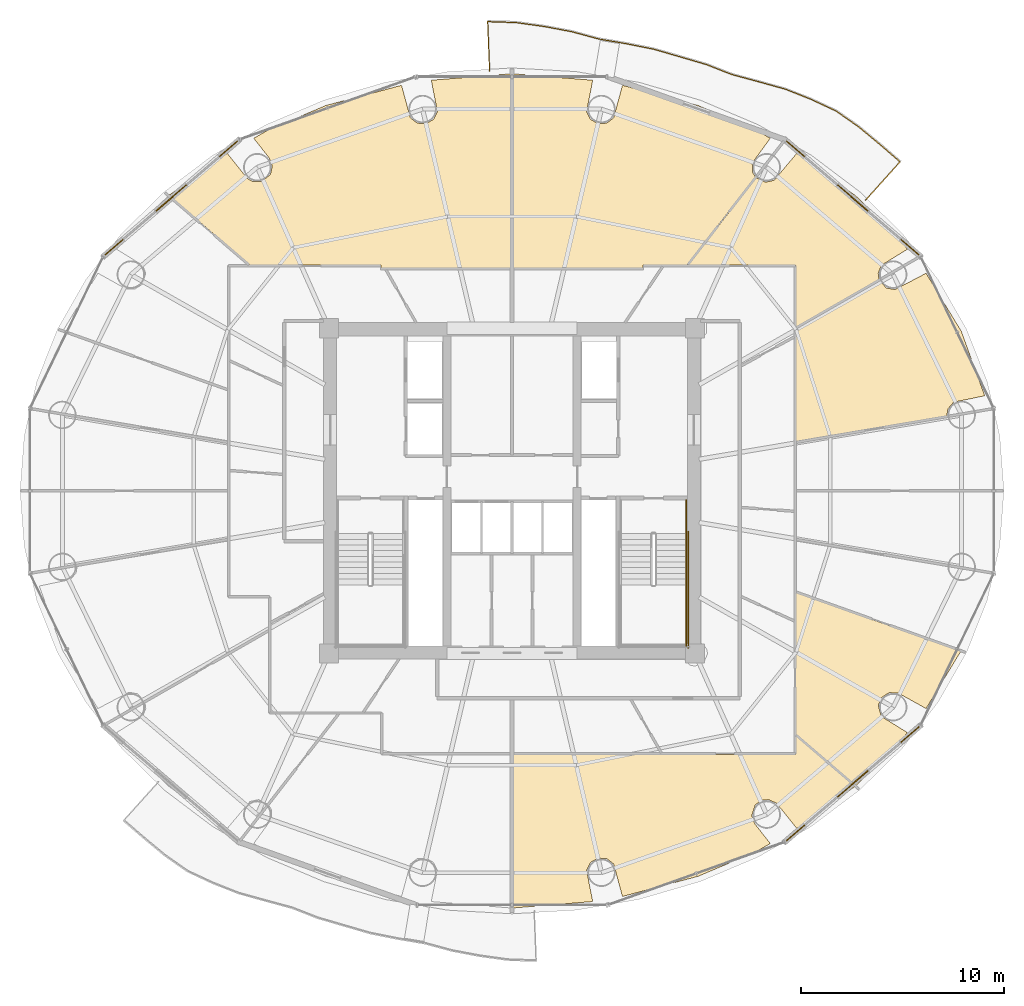
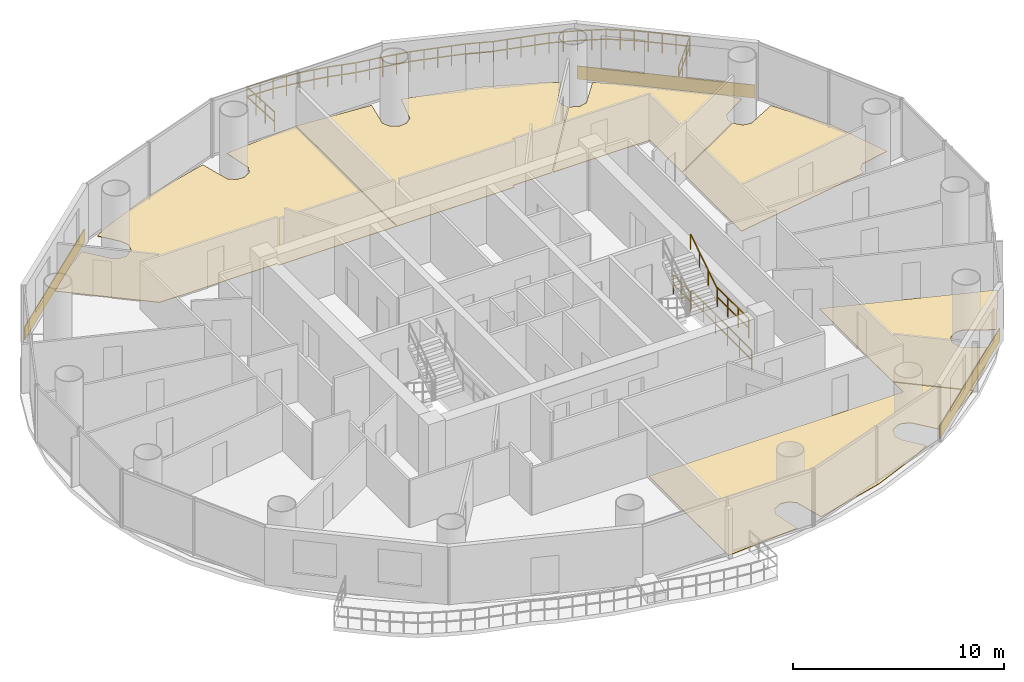
# One storey, part 26 of 26: 9 coverings, 5 railings.
"""IFC4 building model written with IfcOpenShell, lengths in metres."""

from ifc_helpers import new_model, si_unit, direction, frame, origin, origin_2d, place, context, subcontext, project, spatial, polyline, rectangle, outline, extrude, source, transform, mapped, material, layer, layer_set, type_object, element, save


model = new_model("IFC4")

# Units and contexts
model_context = context("Model", 3, precision=1e-05, world=origin(), true_north=direction((-0.2419218956, 0.970295726276)))
body_context = subcontext(model_context, "Body", "Model", "MODEL_VIEW")
ifc_project = project(units=[si_unit("LENGTHUNIT", "METRE"), si_unit("AREAUNIT", "SQUARE_METRE"), si_unit("VOLUMEUNIT", "CUBIC_METRE"), si_unit("PLANEANGLEUNIT", "RADIAN"), si_unit("MASSUNIT", "GRAM", prefix="KILO")], contexts=[model_context])

# Site, building, storey
site_placement = place(None, origin())
site = spatial("IfcSite", under=ifc_project, at=site_placement, CompositionType="ELEMENT")
building_placement = place(site_placement, origin())
building = spatial("IfcBuilding", under=site, at=building_placement, Name="Cobrevalo Terracotta Tower", CompositionType="ELEMENT")
storey_placement = place(building_placement, frame((0.0, 0.0, 175.0)))
storey = spatial("IfcBuildingStorey", under=building, at=storey_placement, Name="L46", CompositionType="ELEMENT", Elevation=175.0)

# Railing
ifc_material_1 = material(Name="Laminated structural glass and stainless steel", Category="steel")
railing_type_1 = type_object("IfcRailingType", Name="Balcony lobe structural glass & terracotta-cap balustrade 1180 mm", PredefinedType="BALUSTRADE", material=ifc_material_1)
railing_1_placement = place(storey_placement, frame((55.39599609375, 41.104248046875, 0.0)))
element("IfcRailing", 1, at=railing_1_placement, inside=storey, type_object=railing_type_1, Name="L46 spiralling balcony lobe balustrade 1", PredefinedType="BALUSTRADE", context=body_context, shape_type="SweptSolid", body=[
    extrude(rectangle(XDim=0.048095703125, YDim=0.048095703125, at=origin_2d()), frame((0.0, 0.0, 1.15576171875), z_axis=(0.66860239714, 0.743620087503, 0.0), x_axis=(-0.743620087503, 0.66860239714, 0.0)), (0.0, 0.0, 1.0), 2.531982421875),
    extrude(rectangle(XDim=0.048095703125, YDim=0.048095703125, at=origin_2d()), frame((0.0, 0.0, 0.58984375), z_axis=(0.66860239714, 0.743620087503, 0.0), x_axis=(-0.743620087503, 0.66860239714, 0.0)), (0.0, 0.0, 1.0), 2.531982421875),
    extrude(rectangle(XDim=0.048095703125, YDim=0.048095703125, at=origin_2d()), frame((1.69287109375, 1.8828125, 1.15576171875), z_axis=(-0.757700778266, 0.652602122748, 0.0), x_axis=(-0.652602122748, -0.757700778266, 0.0)), (0.0, 0.0, 1.0), 1.3310546875),
    extrude(rectangle(XDim=0.048095703125, YDim=0.048095703125, at=origin_2d()), frame((1.69287109375, 1.8828125, 0.58984375), z_axis=(-0.757700778266, 0.652602122748, 0.0), x_axis=(-0.652602122748, -0.757700778266, 0.0)), (0.0, 0.0, 1.0), 1.3310546875),
    extrude(rectangle(XDim=0.048095703125, YDim=0.048095703125, at=origin_2d()), frame((0.684326171875, 2.75146484375, 1.15576171875), z_axis=(-0.770212764142, 0.637787031816, 0.0), x_axis=(-0.637787031816, -0.770212764142, 0.0)), (0.0, 0.0, 1.0), 1.343994140625),
    extrude(rectangle(XDim=0.048095703125, YDim=0.048095703125, at=origin_2d()), frame((0.684326171875, 2.75146484375, 0.58984375), z_axis=(-0.770212764142, 0.637787031816, 0.0), x_axis=(-0.637787031816, -0.770212764142, 0.0)), (0.0, 0.0, 1.0), 1.343994140625),
    extrude(rectangle(XDim=0.048095703125, YDim=0.048095703125, at=origin_2d()), frame((-0.350830078125, 3.608642578125, 1.15576171875), z_axis=(-0.819112394064, 0.573633058576, 0.0), x_axis=(-0.573633058576, -0.819112394064, 0.0)), (0.0, 0.0, 1.0), 1.34375),
    extrude(rectangle(XDim=0.048095703125, YDim=0.048095703125, at=origin_2d()), frame((-0.350830078125, 3.608642578125, 0.58984375), z_axis=(-0.819112394064, 0.573633058576, 0.0), x_axis=(-0.573633058576, -0.819112394064, 0.0)), (0.0, 0.0, 1.0), 1.34375),
    extrude(rectangle(XDim=0.048095703125, YDim=0.048095703125, at=origin_2d()), frame((-1.451416015625, 4.37939453125, 1.15576171875), z_axis=(-0.906237865413, 0.422768176773, 0.0), x_axis=(-0.422768176773, -0.906237865413, 0.0)), (0.0, 0.0, 1.0), 1.367431640625),
    extrude(rectangle(XDim=0.048095703125, YDim=0.048095703125, at=origin_2d()), frame((-1.451416015625, 4.37939453125, 0.58984375), z_axis=(-0.906237865413, 0.422768176773, 0.0), x_axis=(-0.422768176773, -0.906237865413, 0.0)), (0.0, 0.0, 1.0), 1.367431640625),
    extrude(rectangle(XDim=0.048095703125, YDim=0.048095703125, at=origin_2d()), frame((-2.690673828125, 4.95751953125, 1.15576171875), z_axis=(-0.929930734764, 0.367734725776, 0.0), x_axis=(-0.367734725776, -0.929930734764, 0.0)), (0.0, 0.0, 1.0), 1.359619140625),
    extrude(rectangle(XDim=0.048095703125, YDim=0.048095703125, at=origin_2d()), frame((-2.690673828125, 4.95751953125, 0.58984375), z_axis=(-0.929930734764, 0.367734725776, 0.0), x_axis=(-0.367734725776, -0.929930734764, 0.0)), (0.0, 0.0, 1.0), 1.359619140625),
    extrude(rectangle(XDim=0.048095703125, YDim=0.048095703125, at=origin_2d()), frame((-3.955078125, 5.45751953125, 1.15576171875), z_axis=(-0.963579103308, 0.267423468804, 0.0), x_axis=(-0.267423468804, -0.963579103308, 0.0)), (0.0, 0.0, 1.0), 1.371337890625),
    extrude(rectangle(XDim=0.048095703125, YDim=0.048095703125, at=origin_2d()), frame((-3.955078125, 5.45751953125, 0.58984375), z_axis=(-0.963579103308, 0.267423468804, 0.0), x_axis=(-0.267423468804, -0.963579103308, 0.0)), (0.0, 0.0, 1.0), 1.371337890625),
    extrude(rectangle(XDim=0.048095703125, YDim=0.048095703125, at=origin_2d()), frame((-5.2763671875, 5.82421875, 1.15576171875), z_axis=(-0.965325469079, 0.261049303289, 0.0), x_axis=(-0.261049303289, -0.965325469079, 0.0)), (0.0, 0.0, 1.0), 1.35888671875),
    extrude(rectangle(XDim=0.048095703125, YDim=0.048095703125, at=origin_2d()), frame((-5.2763671875, 5.82421875, 0.58984375), z_axis=(-0.965325469079, 0.261049303289, 0.0), x_axis=(-0.261049303289, -0.965325469079, 0.0)), (0.0, 0.0, 1.0), 1.35888671875),
    extrude(rectangle(XDim=0.048095703125, YDim=0.048095703125, at=origin_2d()), frame((-6.588134765625, 6.178955078125, 1.15576171875), z_axis=(-0.931210574884, 0.364481639076, 0.0), x_axis=(-0.364481639076, -0.931210574884, 0.0)), (0.0, 0.0, 1.0), 1.34228515625),
    extrude(rectangle(XDim=0.048095703125, YDim=0.048095703125, at=origin_2d()), frame((-6.588134765625, 6.178955078125, 0.58984375), z_axis=(-0.931210574884, 0.364481639076, 0.0), x_axis=(-0.364481639076, -0.931210574884, 0.0)), (0.0, 0.0, 1.0), 1.34228515625),
    extrude(rectangle(XDim=0.048095703125, YDim=0.048095703125, at=origin_2d()), frame((-7.838134765625, 6.668212890625, 1.15576171875), z_axis=(-0.959631897815, 0.281258992206, 0.0), x_axis=(-0.281258992206, -0.959631897815, 0.0)), (0.0, 0.0, 1.0), 1.35498046875),
    extrude(rectangle(XDim=0.048095703125, YDim=0.048095703125, at=origin_2d()), frame((-7.838134765625, 6.668212890625, 0.58984375), z_axis=(-0.959631897815, 0.281258992206, 0.0), x_axis=(-0.281258992206, -0.959631897815, 0.0)), (0.0, 0.0, 1.0), 1.35498046875),
    extrude(rectangle(XDim=0.048095703125, YDim=0.048095703125, at=origin_2d()), frame((-9.138427734375, 7.04931640625, 1.15576171875), z_axis=(-0.96043492504, 0.278504496844, 0.0), x_axis=(-0.278504496844, -0.96043492504, 0.0)), (0.0, 0.0, 1.0), 1.354248046875),
    extrude(rectangle(XDim=0.048095703125, YDim=0.048095703125, at=origin_2d()), frame((-9.138427734375, 7.04931640625, 0.58984375), z_axis=(-0.96043492504, 0.278504496844, 0.0), x_axis=(-0.278504496844, -0.96043492504, 0.0)), (0.0, 0.0, 1.0), 1.354248046875),
    extrude(rectangle(XDim=0.048095703125, YDim=0.048095703125, at=origin_2d()), frame((-10.439208984375, 7.426513671875, 1.15576171875), z_axis=(-0.980759694429, 0.195218907343, 0.0), x_axis=(-0.195218907343, -0.980759694429, 0.0)), (0.0, 0.0, 1.0), 1.360595703125),
    extrude(rectangle(XDim=0.048095703125, YDim=0.048095703125, at=origin_2d()), frame((-10.439208984375, 7.426513671875, 0.58984375), z_axis=(-0.980759694429, 0.195218907343, 0.0), x_axis=(-0.195218907343, -0.980759694429, 0.0)), (0.0, 0.0, 1.0), 1.360595703125),
    extrude(rectangle(XDim=0.048095703125, YDim=0.048095703125, at=origin_2d()), frame((-11.773681640625, 7.692138671875, 1.15576171875), z_axis=(-0.985748009451, 0.168228600015, 0.0), x_axis=(-0.168228600015, -0.985748009451, 0.0)), (0.0, 0.0, 1.0), 1.3642578125),
    extrude(rectangle(XDim=0.048095703125, YDim=0.048095703125, at=origin_2d()), frame((-11.773681640625, 7.692138671875, 0.58984375), z_axis=(-0.985748009451, 0.168228600015, 0.0), x_axis=(-0.168228600015, -0.985748009451, 0.0)), (0.0, 0.0, 1.0), 1.3642578125),
    extrude(rectangle(XDim=0.048095703125, YDim=0.048095703125, at=origin_2d()), frame((-13.118408203125, 7.921630859375, 1.15576171875), z_axis=(-0.965340534329, 0.260993587626, 0.0), x_axis=(-0.260993587626, -0.965340534329, 0.0)), (0.0, 0.0, 1.0), 1.381591796875),
    extrude(rectangle(XDim=0.048095703125, YDim=0.048095703125, at=origin_2d()), frame((-13.118408203125, 7.921630859375, 0.58984375), z_axis=(-0.965340534329, 0.260993587626, 0.0), x_axis=(-0.260993587626, -0.965340534329, 0.0)), (0.0, 0.0, 1.0), 1.381591796875),
    extrude(rectangle(XDim=0.048095703125, YDim=0.048095703125, at=origin_2d()), frame((-14.4521484375, 8.2822265625, 1.15576171875), z_axis=(-0.982618762807, 0.185635037049, 0.0), x_axis=(-0.185635037049, -0.982618762807, 0.0)), (0.0, 0.0, 1.0), 1.39013671875),
    extrude(rectangle(XDim=0.048095703125, YDim=0.048095703125, at=origin_2d()), frame((-14.4521484375, 8.2822265625, 0.58984375), z_axis=(-0.982618762807, 0.185635037049, 0.0), x_axis=(-0.185635037049, -0.982618762807, 0.0)), (0.0, 0.0, 1.0), 1.39013671875),
    extrude(rectangle(XDim=0.048095703125, YDim=0.048095703125, at=origin_2d()), frame((-15.818115234375, 8.540283203125, 1.15576171875), z_axis=(-0.9906235785, 0.13661963885, 0.0), x_axis=(-0.13661963885, -0.9906235785, 0.0)), (0.0, 0.0, 1.0), 1.395751953125),
    extrude(rectangle(XDim=0.048095703125, YDim=0.048095703125, at=origin_2d()), frame((-15.818115234375, 8.540283203125, 0.58984375), z_axis=(-0.9906235785, 0.13661963885, 0.0), x_axis=(-0.13661963885, -0.9906235785, 0.0)), (0.0, 0.0, 1.0), 1.395751953125),
    extrude(rectangle(XDim=0.048095703125, YDim=0.048095703125, at=origin_2d()), frame((-17.20068359375, 8.73095703125, 1.15576171875), z_axis=(-0.999440035445, 0.033460656752, 0.0), x_axis=(-0.033460656752, -0.999440035445, 0.0)), (0.0, 0.0, 1.0), 1.3935546875),
    extrude(rectangle(XDim=0.048095703125, YDim=0.048095703125, at=origin_2d()), frame((-17.20068359375, 8.73095703125, 0.58984375), z_axis=(-0.999440035445, 0.033460656752, 0.0), x_axis=(-0.033460656752, -0.999440035445, 0.0)), (0.0, 0.0, 1.0), 1.3935546875),
    extrude(rectangle(XDim=0.048095703125, YDim=0.048095703125, at=origin_2d()), frame((-18.593505859375, 8.777587890625, 1.15576171875), z_axis=(0.039487733379, -0.999220055299, 0.0), x_axis=(0.999220055299, 0.039487733379, 0.0)), (0.0, 0.0, 1.0), 2.43603515625),
    extrude(rectangle(XDim=0.048095703125, YDim=0.048095703125, at=origin_2d()), frame((-18.593505859375, 8.777587890625, 0.58984375), z_axis=(0.039487733379, -0.999220055299, 0.0), x_axis=(0.999220055299, 0.039487733379, 0.0)), (0.0, 0.0, 1.0), 2.43603515625),
    extrude(rectangle(XDim=0.0419921875, YDim=0.0419921875, at=origin_2d()), origin(), (0.0, 0.0, 1.0), 1.1318359375),
    extrude(rectangle(XDim=0.0419921875, YDim=0.0419921875, at=origin_2d()), frame((0.564208984375, 0.627685546875, 0.0)), (0.0, 0.0, 1.0), 1.1318359375),
    extrude(rectangle(XDim=0.0419921875, YDim=0.0419921875, at=origin_2d()), frame((1.128662109375, 1.255126953125, 0.0)), (0.0, 0.0, 1.0), 1.1318359375),
    extrude(rectangle(XDim=0.0419921875, YDim=0.0419921875, at=origin_2d()), frame((1.69287109375, 1.8828125, 0.0)), (0.0, 0.0, 1.0), 1.1318359375),
    extrude(rectangle(XDim=0.0419921875, YDim=0.0419921875, at=origin_2d()), frame((1.1884765625, 2.317138671875, 0.0)), (0.0, 0.0, 1.0), 1.1318359375),
    extrude(rectangle(XDim=0.0419921875, YDim=0.0419921875, at=origin_2d()), frame((0.684326171875, 2.75146484375, 0.0)), (0.0, 0.0, 1.0), 1.1318359375),
    extrude(rectangle(XDim=0.0419921875, YDim=0.0419921875, at=origin_2d()), frame((0.166748046875, 3.18017578125, 0.0)), (0.0, 0.0, 1.0), 1.1318359375),
    extrude(rectangle(XDim=0.0419921875, YDim=0.0419921875, at=origin_2d()), frame((-0.350830078125, 3.608642578125, 0.0)), (0.0, 0.0, 1.0), 1.1318359375),
    extrude(rectangle(XDim=0.0419921875, YDim=0.0419921875, at=origin_2d()), frame((-0.901123046875, 3.994140625, 0.0)), (0.0, 0.0, 1.0), 1.1318359375),
    extrude(rectangle(XDim=0.0419921875, YDim=0.0419921875, at=origin_2d()), frame((-1.451416015625, 4.37939453125, 0.0)), (0.0, 0.0, 1.0), 1.1318359375),
    extrude(rectangle(XDim=0.0419921875, YDim=0.0419921875, at=origin_2d()), frame((-2.071044921875, 4.66845703125, 0.0)), (0.0, 0.0, 1.0), 1.1318359375),
    extrude(rectangle(XDim=0.0419921875, YDim=0.0419921875, at=origin_2d()), frame((-2.690673828125, 4.95751953125, 0.0)), (0.0, 0.0, 1.0), 1.1318359375),
    extrude(rectangle(XDim=0.0419921875, YDim=0.0419921875, at=origin_2d()), frame((-3.32275390625, 5.20751953125, 0.0)), (0.0, 0.0, 1.0), 1.1318359375),
    extrude(rectangle(XDim=0.0419921875, YDim=0.0419921875, at=origin_2d()), frame((-3.955078125, 5.45751953125, 0.0)), (0.0, 0.0, 1.0), 1.1318359375),
    extrude(rectangle(XDim=0.0419921875, YDim=0.0419921875, at=origin_2d()), frame((-4.61572265625, 5.640869140625, 0.0)), (0.0, 0.0, 1.0), 1.1318359375),
    extrude(rectangle(XDim=0.0419921875, YDim=0.0419921875, at=origin_2d()), frame((-5.2763671875, 5.82421875, 0.0)), (0.0, 0.0, 1.0), 1.1318359375),
    extrude(rectangle(XDim=0.0419921875, YDim=0.0419921875, at=origin_2d()), frame((-5.93212890625, 6.00146484375, 0.0)), (0.0, 0.0, 1.0), 1.1318359375),
    extrude(rectangle(XDim=0.0419921875, YDim=0.0419921875, at=origin_2d()), frame((-6.588134765625, 6.178955078125, 0.0)), (0.0, 0.0, 1.0), 1.1318359375),
    extrude(rectangle(XDim=0.0419921875, YDim=0.0419921875, at=origin_2d()), frame((-7.213134765625, 6.423583984375, 0.0)), (0.0, 0.0, 1.0), 1.1318359375),
    extrude(rectangle(XDim=0.0419921875, YDim=0.0419921875, at=origin_2d()), frame((-7.838134765625, 6.668212890625, 0.0)), (0.0, 0.0, 1.0), 1.1318359375),
    extrude(rectangle(XDim=0.0419921875, YDim=0.0419921875, at=origin_2d()), frame((-8.48828125, 6.85888671875, 0.0)), (0.0, 0.0, 1.0), 1.1318359375),
    extrude(rectangle(XDim=0.0419921875, YDim=0.0419921875, at=origin_2d()), frame((-9.138427734375, 7.04931640625, 0.0)), (0.0, 0.0, 1.0), 1.1318359375),
    extrude(rectangle(XDim=0.0419921875, YDim=0.0419921875, at=origin_2d()), frame((-9.788818359375, 7.23779296875, 0.0)), (0.0, 0.0, 1.0), 1.1318359375),
    extrude(rectangle(XDim=0.0419921875, YDim=0.0419921875, at=origin_2d()), frame((-10.439208984375, 7.426513671875, 0.0)), (0.0, 0.0, 1.0), 1.1318359375),
    extrude(rectangle(XDim=0.0419921875, YDim=0.0419921875, at=origin_2d()), frame((-11.1064453125, 7.559326171875, 0.0)), (0.0, 0.0, 1.0), 1.1318359375),
    extrude(rectangle(XDim=0.0419921875, YDim=0.0419921875, at=origin_2d()), frame((-11.773681640625, 7.692138671875, 0.0)), (0.0, 0.0, 1.0), 1.1318359375),
    extrude(rectangle(XDim=0.0419921875, YDim=0.0419921875, at=origin_2d()), frame((-12.446044921875, 7.806884765625, 0.0)), (0.0, 0.0, 1.0), 1.1318359375),
    extrude(rectangle(XDim=0.0419921875, YDim=0.0419921875, at=origin_2d()), frame((-13.118408203125, 7.921630859375, 0.0)), (0.0, 0.0, 1.0), 1.1318359375),
    extrude(rectangle(XDim=0.0419921875, YDim=0.0419921875, at=origin_2d()), frame((-13.78515625, 8.10205078125, 0.0)), (0.0, 0.0, 1.0), 1.1318359375),
    extrude(rectangle(XDim=0.0419921875, YDim=0.0419921875, at=origin_2d()), frame((-14.4521484375, 8.2822265625, 0.0)), (0.0, 0.0, 1.0), 1.1318359375),
    extrude(rectangle(XDim=0.0419921875, YDim=0.0419921875, at=origin_2d()), frame((-15.13525390625, 8.4111328125, 0.0)), (0.0, 0.0, 1.0), 1.1318359375),
    extrude(rectangle(XDim=0.0419921875, YDim=0.0419921875, at=origin_2d()), frame((-15.818115234375, 8.540283203125, 0.0)), (0.0, 0.0, 1.0), 1.1318359375),
    extrude(rectangle(XDim=0.0419921875, YDim=0.0419921875, at=origin_2d()), frame((-16.50927734375, 8.6357421875, 0.0)), (0.0, 0.0, 1.0), 1.1318359375),
    extrude(rectangle(XDim=0.0419921875, YDim=0.0419921875, at=origin_2d()), frame((-17.20068359375, 8.73095703125, 0.0)), (0.0, 0.0, 1.0), 1.1318359375),
    extrude(rectangle(XDim=0.0419921875, YDim=0.0419921875, at=origin_2d()), frame((-17.89697265625, 8.75439453125, 0.0)), (0.0, 0.0, 1.0), 1.1318359375),
    extrude(rectangle(XDim=0.0419921875, YDim=0.0419921875, at=origin_2d()), frame((-18.593505859375, 8.777587890625, 0.0)), (0.0, 0.0, 1.0), 1.1318359375),
    extrude(rectangle(XDim=0.0419921875, YDim=0.0419921875, at=origin_2d()), frame((-18.5615234375, 7.96630859375, 0.0)), (0.0, 0.0, 1.0), 1.1318359375),
    extrude(rectangle(XDim=0.0419921875, YDim=0.0419921875, at=origin_2d()), frame((-18.529296875, 7.15478515625, 0.0)), (0.0, 0.0, 1.0), 1.1318359375),
    extrude(rectangle(XDim=0.0419921875, YDim=0.0419921875, at=origin_2d()), frame((-18.497314453125, 6.343505859375, 0.0)), (0.0, 0.0, 1.0), 1.1318359375),
])

# Coverings
ifc_material_2 = material(Name="Engineered Brazilian hardwood flooring", Category="wood")
ifc_layer_1 = layer(ifc_material_2, 0.028076171875)
ifc_layer_set_1 = layer_set([ifc_layer_1], Name="Engineered Brazilian hardwood flooring")
covering_type_1 = type_object("IfcCoveringType", Name="Engineered Hardwood Suite Flooring 28", PredefinedType="FLOORING", material=ifc_layer_set_1)
covering_1_placement = place(storey_placement, origin())
element("IfcCovering", 2, at=covering_1_placement, inside=storey, type_object=covering_type_1, Name="Flat L46A Penthouse Living and Dining Room floor finish", PredefinedType="FLOORING", context=body_context, shape_type="SweptSolid", body=[
    extrude(outline(polyline([(23.99755859375, 43.39990234375), (24.99072265625, 42.160400390625), (25.242431640625, 42.01904296875), (25.672119140625, 42.01025390625), (26.1171875, 42.3603515625), (26.209716796875, 42.780029296875), (26.053955078125, 43.179443359375), (25.295166015625, 44.143798828125), (26.038818359375, 44.5703125), (28.84521484375, 45.757568359375), (32.567138671875, 46.75), (32.99951171875, 45.150390625), (33.3408203125, 44.88916015625), (33.76953125, 44.861328125), (34.141357421875, 45.07666015625), (34.3310546875, 45.462158203125), (34.02880859375, 46.99951171875), (37.97998046875, 47.31884765625), (37.97998046875, 37.7451171875), (31.554931640625, 37.7451171875), (31.554931640625, 37.905029296875), (25.1103515625, 37.905029296875), (21.119873046875, 41.3349609375), (23.99755859375, 43.39990234375)])), origin(), (0.0, 0.0, 1.0), 0.030029296875),
])
covering_2_placement = place(storey_placement, origin())
element("IfcCovering", 3, at=covering_2_placement, inside=storey, type_object=covering_type_1, Name="Flat L46B Penthouse Living and Dining Room floor finish", PredefinedType="FLOORING", context=body_context, shape_type="SweptSolid", body=[
    extrude(outline(polyline([(52.00244140625, 10.2001953125), (51.00927734375, 11.439697265625), (50.61572265625, 11.6123046875), (50.327880859375, 11.58984375), (49.9658203125, 11.358642578125), (49.790283203125, 10.820068359375), (49.946044921875, 10.420654296875), (50.704833984375, 9.4560546875), (49.961181640625, 9.02978515625), (47.15478515625, 7.84228515625), (43.432861328125, 6.849853515625), (43.00048828125, 8.44970703125), (42.6591796875, 8.7109375), (42.23046875, 8.738525390625), (41.858642578125, 8.5234375), (41.6689453125, 8.1376953125), (41.97119140625, 6.6005859375), (38.02001953125, 6.28125), (38.02001953125, 13.844970703125), (51.955078125, 13.844970703125), (51.955078125, 14.779296875), (54.880126953125, 12.264892578125), (52.00244140625, 10.2001953125)])), origin(), (0.0, 0.0, 1.0), 0.030029296875),
])
covering_3_placement = place(storey_placement, origin())
element("IfcCovering", 4, at=covering_3_placement, inside=storey, type_object=covering_type_1, Name="Flat L46B Master Bedroom floor finish", PredefinedType="FLOORING", context=body_context, shape_type="SweptSolid", body=[
    extrude(outline(polyline([(58.367431640625, 16.09375), (56.982177734375, 16.863525390625), (56.552734375, 16.874267578125), (56.189697265625, 16.64453125), (56.01513671875, 16.251953125), (56.165771484375, 15.705810546875), (57.448486328125, 14.91357421875), (56.97802734375, 14.309326171875), (54.9111328125, 12.291015625), (51.955078125, 14.83203125), (51.955078125, 21.810546875), (60.081787109375, 18.917236328125), (58.367431640625, 16.09375)])), origin(), (0.0, 0.0, 1.0), 0.030029296875),
])
covering_4_placement = place(storey_placement, origin())
element("IfcCovering", 5, at=covering_4_placement, inside=storey, type_object=covering_type_1, Name="Flat L46B Penthouse Family Lounge floor finish", PredefinedType="FLOORING", context=body_context, shape_type="SweptSolid", body=[
    extrude(outline(polyline([(56.070068359375, 37.154541015625), (56.417236328125, 36.77783203125), (56.8408203125, 36.70458984375), (58.367431640625, 37.50634765625), (60.099609375, 34.651611328125), (61.251708984375, 31.478271484375), (59.7236328125, 31.1630859375), (59.44140625, 30.8388671875), (59.382568359375, 30.47607421875), (51.955078125, 29.2060546875), (51.955078125, 34.791259765625), (56.070068359375, 37.154541015625)])), origin(), (0.0, 0.0, 1.0), 0.030029296875),
])
covering_5_placement = place(storey_placement, origin())
element("IfcCovering", 6, at=covering_5_placement, inside=storey, type_object=covering_type_1, Name="Flat L46B Penthouse Family Lounge floor finish", PredefinedType="FLOORING", context=body_context, shape_type="SweptSolid", body=[
    extrude(outline(polyline([(46.658447265625, 37.905029296875), (50.002197265625, 42.20654296875), (50.470703125, 41.98486328125), (50.890380859375, 42.0771484375), (52.00244140625, 43.39990234375), (54.9150390625, 41.308837890625), (56.97802734375, 39.29052734375), (57.448486328125, 38.6865234375), (56.165771484375, 37.89404296875), (56.011474609375, 37.4931640625), (56.05615234375, 37.192626953125), (51.955078125, 34.83740234375), (51.955078125, 37.905029296875), (46.658447265625, 37.905029296875)])), origin(), (0.0, 0.0, 1.0), 0.030029296875),
])
covering_6_placement = place(storey_placement, origin())
element("IfcCovering", 7, at=covering_6_placement, inside=storey, type_object=covering_type_1, Name="Flat L46B Private Cinema Room floor finish", PredefinedType="FLOORING", context=body_context, shape_type="SweptSolid", body=[
    extrude(outline(polyline([(44.445068359375, 37.7451171875), (38.02001953125, 37.7451171875), (38.02001953125, 47.31884765625), (41.97119140625, 46.99951171875), (41.6689453125, 45.462158203125), (41.858642578125, 45.07666015625), (42.23046875, 44.861328125), (42.6591796875, 44.88916015625), (43.00048828125, 45.150390625), (43.432861328125, 46.75), (47.15478515625, 45.757568359375), (49.961181640625, 44.5703125), (50.704833984375, 44.143798828125), (49.815673828125, 42.9228515625), (49.824462890625, 42.4931640625), (49.97509765625, 42.236572265625), (46.607666015625, 37.905029296875), (44.445068359375, 37.905029296875), (44.445068359375, 37.7451171875)])), origin(), (0.0, 0.0, 1.0), 0.030029296875),
])

# Railings
ifc_material_3 = material(Name="Brushed stainless steel", Category="steel")
railing_type_2 = type_object("IfcRailingType", Name="Stainless Steel Stair Handrail 900", PredefinedType="HANDRAIL", material=ifc_material_3)
railing_2_placement = place(storey_placement, frame((46.574951171875, 22.179931640625, 1.97998046875)))
element("IfcRailing", 8, at=railing_2_placement, inside=storey, type_object=railing_type_2, Name="L46 ST-2 stair handrail 2", PredefinedType="HANDRAIL", context=body_context, shape_type="SweptSolid", body=[
    extrude(rectangle(XDim=0.048095703125, YDim=0.048095703125, at=origin_2d()), frame((0.0, 0.0, 0.8759765625), z_axis=(0.0, 0.841162588446, 0.540782303519), x_axis=(-1.0, 0.0, 0.0)), (0.0, 0.0, 1.0), 2.995849609375),
    extrude(rectangle(XDim=0.0419921875, YDim=0.0419921875, at=origin_2d()), origin(), (0.0, 0.0, 1.0), 0.851806640625),
    extrude(rectangle(XDim=0.0419921875, YDim=0.0419921875, at=origin_2d()), frame((0.0, 0.840087890625, 0.5400390625)), (0.0, 0.0, 1.0), 0.851806640625),
    extrude(rectangle(XDim=0.0419921875, YDim=0.0419921875, at=origin_2d()), frame((0.0, 1.679931640625, 1.080078125)), (0.0, 0.0, 1.0), 0.851806640625),
    extrude(rectangle(XDim=0.0419921875, YDim=0.0419921875, at=origin_2d()), frame((0.0, 2.52001953125, 1.6201171875)), (0.0, 0.0, 1.0), 0.851806640625),
])
ifc_material_4 = material(Name="Painted galvanized steel", Category="steel")
railing_type_3 = type_object("IfcRailingType", Name="Stair Well Guard Balustrade 1150", PredefinedType="GUARDRAIL", material=ifc_material_4)
railing_3_placement = place(storey_placement, frame((46.574951171875, 22.179931640625, 1.800048828125)))
element("IfcRailing", 9, at=railing_3_placement, inside=storey, type_object=railing_type_3, Name="L46 ST-2 stair guard 4", PredefinedType="GUARDRAIL", context=body_context, shape_type="SweptSolid", body=[
    extrude(rectangle(XDim=0.048095703125, YDim=0.048095703125, at=origin_2d()), frame((0.0, 0.0, 1.1259765625), z_axis=(0.0, -1.0, 0.0), x_axis=(1.0, 0.0, 0.0)), (0.0, 0.0, 1.0), 3.0048828125),
    extrude(rectangle(XDim=0.048095703125, YDim=0.048095703125, at=origin_2d()), frame((0.0, 0.0, 0.574951171875), z_axis=(0.0, -1.0, 0.0), x_axis=(1.0, 0.0, 0.0)), (0.0, 0.0, 1.0), 3.0048828125),
    extrude(rectangle(XDim=0.0419921875, YDim=0.0419921875, at=origin_2d()), origin(), (0.0, 0.0, 1.0), 1.101806640625),
    extrude(rectangle(XDim=0.0419921875, YDim=0.0419921875, at=origin_2d()), frame((0.0, -1.001708984375, 0.0)), (0.0, 0.0, 1.0), 1.101806640625),
    extrude(rectangle(XDim=0.0419921875, YDim=0.0419921875, at=origin_2d()), frame((0.0, -2.003173828125, 0.0)), (0.0, 0.0, 1.0), 1.101806640625),
    extrude(rectangle(XDim=0.0419921875, YDim=0.0419921875, at=origin_2d()), frame((0.0, -3.0048828125, 0.0)), (0.0, 0.0, 1.0), 1.101806640625),
])
railing_4_placement = place(storey_placement, frame((46.574951171875, 26.35009765625, 0.0)))
element("IfcRailing", 10, at=railing_4_placement, inside=storey, type_object=railing_type_3, Name="L46 ST-2 stair guard 9", PredefinedType="GUARDRAIL", context=body_context, shape_type="SweptSolid", body=[
    extrude(rectangle(XDim=0.048095703125, YDim=0.048095703125, at=origin_2d()), frame((0.0, 0.0, 1.1259765625), z_axis=(0.0, -1.0, 0.0), x_axis=(1.0, 0.0, 0.0)), (0.0, 0.0, 1.0), 1.650146484375),
    extrude(rectangle(XDim=0.048095703125, YDim=0.048095703125, at=origin_2d()), frame((0.0, 0.0, 0.574951171875), z_axis=(0.0, -1.0, 0.0), x_axis=(1.0, 0.0, 0.0)), (0.0, 0.0, 1.0), 1.650146484375),
    extrude(rectangle(XDim=0.0419921875, YDim=0.0419921875, at=origin_2d()), origin(), (0.0, 0.0, 1.0), 1.101806640625),
    extrude(rectangle(XDim=0.0419921875, YDim=0.0419921875, at=origin_2d()), frame((0.0, -0.8251953125, 0.0)), (0.0, 0.0, 1.0), 1.101806640625),
    extrude(rectangle(XDim=0.0419921875, YDim=0.0419921875, at=origin_2d()), frame((0.0, -1.650146484375, 0.0)), (0.0, 0.0, 1.0), 1.101806640625),
])
railing_5_placement = place(storey_placement, frame((46.675048828125, 24.800048828125, 0.0)))
element("IfcRailing", 11, at=railing_5_placement, inside=storey, type_object=railing_type_3, Name="L46 ST-2 stair guard 11", PredefinedType="GUARDRAIL", context=body_context, shape_type="SweptSolid", body=[
    extrude(rectangle(XDim=0.048095703125, YDim=0.048095703125, at=origin_2d()), frame((0.0, 0.0, 1.1259765625), z_axis=(0.0, -1.0, 0.0), x_axis=(1.0, 0.0, 0.0)), (0.0, 0.0, 1.0), 5.72509765625),
    extrude(rectangle(XDim=0.048095703125, YDim=0.048095703125, at=origin_2d()), frame((0.0, 0.0, 0.574951171875), z_axis=(0.0, -1.0, 0.0), x_axis=(1.0, 0.0, 0.0)), (0.0, 0.0, 1.0), 5.72509765625),
    extrude(rectangle(XDim=0.0419921875, YDim=0.0419921875, at=origin_2d()), origin(), (0.0, 0.0, 1.0), 1.101806640625),
    extrude(rectangle(XDim=0.0419921875, YDim=0.0419921875, at=origin_2d()), frame((0.0, -1.14501953125, 0.0)), (0.0, 0.0, 1.0), 1.101806640625),
    extrude(rectangle(XDim=0.0419921875, YDim=0.0419921875, at=origin_2d()), frame((0.0, -2.2900390625, 0.0)), (0.0, 0.0, 1.0), 1.101806640625),
    extrude(rectangle(XDim=0.0419921875, YDim=0.0419921875, at=origin_2d()), frame((0.0, -3.43505859375, 0.0)), (0.0, 0.0, 1.0), 1.101806640625),
    extrude(rectangle(XDim=0.0419921875, YDim=0.0419921875, at=origin_2d()), frame((0.0, -4.580078125, 0.0)), (0.0, 0.0, 1.0), 1.101806640625),
    extrude(rectangle(XDim=0.0419921875, YDim=0.0419921875, at=origin_2d()), frame((0.0, -5.72509765625, 0.0)), (0.0, 0.0, 1.0), 1.101806640625),
])

# Coverings
ifc_material_5 = material(Name="Glazed terracotta facade cladding tile", Category="masonry")
ifc_layer_2 = layer(ifc_material_5, 0.044921875)
ifc_layer_set_2 = layer_set([ifc_layer_2], Name="Glazed terracotta facade cladding tile")
covering_type_2 = type_object("IfcCoveringType", Name="Architectural terracotta rainscreen spandrel cladding 45 mm", PredefinedType="CLADDING", material=ifc_layer_set_2)
shared_shape = source(origin(), body_context, "Body", "SweptSolid", [
    extrude(rectangle(XDim=8.59228515625, YDim=0.044921875, at=origin_2d()), origin(), (0.0, 0.0, 1.0), 0.760009765625),
])
for number, where, z_axis, x_axis, name in (
    (12, (54.762451171875, 41.204345703125, 0.0400390625), (0.0, 0.0, 1.0), (-0.758436996112, 0.651746363955, 0.0), "L46 terracotta spandrel cladding S02"),
    (13, (21.237548828125, 41.204345703125, 0.0400390625), (0.0, 0.0, 1.0), (-0.758436996112, -0.651746363955, 0.0), "L46 terracotta spandrel cladding S06"),
    (14, (54.762451171875, 12.3955078125, 0.0400390625), (0.0, 0.0, 1.0), (0.758436996112, 0.651746363955, 0.0), "L46 terracotta spandrel cladding S14"),
):
    element("IfcCovering", number, at=place(storey_placement, frame(where, z_axis=z_axis, x_axis=x_axis)), inside=storey, type_object=covering_type_2, Name=name, PredefinedType="CLADDING", context=body_context, shape_type="MappedRepresentation", body=[
        mapped(shared_shape, transform((0.0, 0.0, 0.0), scale=1.0)),
    ])

save(model, "model.ifc")
